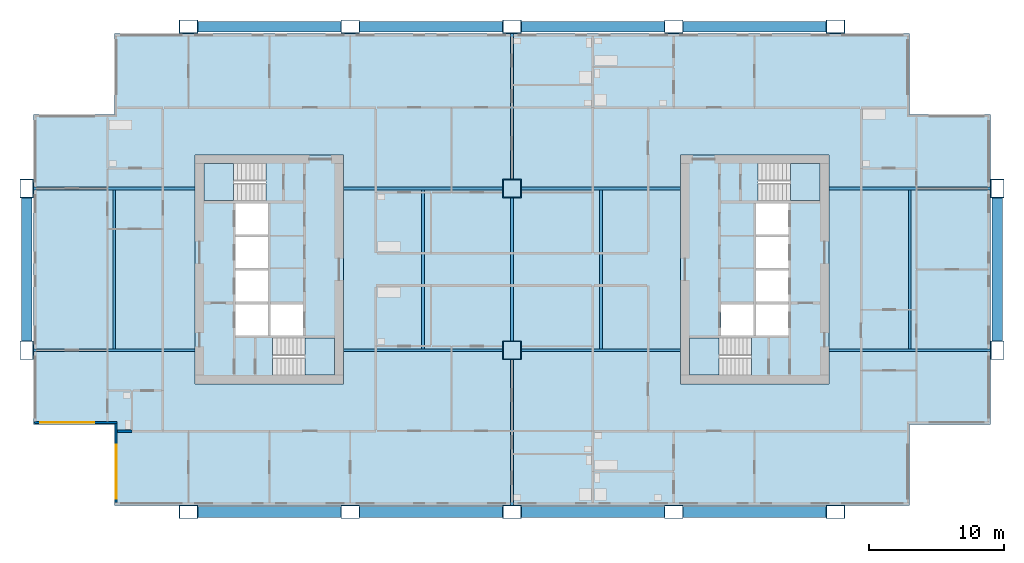
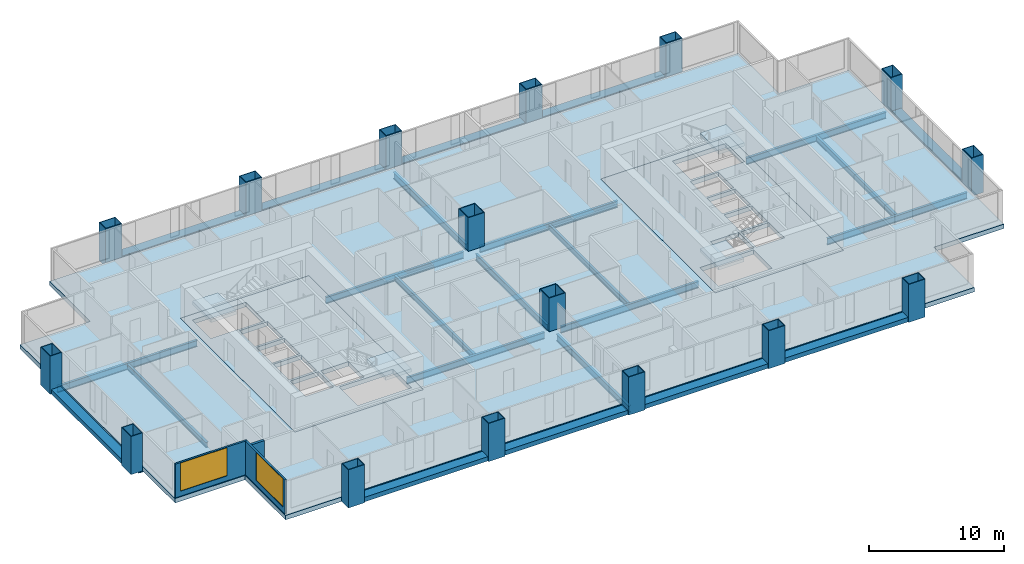
# One storey, part 1 of 11: 25 beams, 16 columns, 7 slabs, 3 walls, 2 windows, 2 openings, 4 elements without a shape of their own.
"""IFC4 building model written with IfcOpenShell, lengths in metres."""

from ifc_helpers import new_model, si_unit, direction, frame, frame_2d, origin, origin_2d, place, context, subcontext, project, spatial, polyline, rectangle, hollow_rectangle, i_section, outline, extrude, material, layer, layer_set, material_profile, profile_set, type_object, element, fill, aggregate, save


model = new_model("IFC4")

# Units and contexts
model_context = context("Model", 3, precision=1e-05, world=origin(), true_north=direction((0.0, 1.0)))
body_context = subcontext(model_context, "Body", "Model", "MODEL_VIEW")
ifc_project = project(units=[si_unit("LENGTHUNIT", "METRE"), si_unit("AREAUNIT", "SQUARE_METRE"), si_unit("VOLUMEUNIT", "CUBIC_METRE"), si_unit("PLANEANGLEUNIT", "RADIAN"), si_unit("MASSUNIT", "GRAM", prefix="KILO")], contexts=[model_context])

# Site, building, storey
site_placement = place(None, origin())
site = spatial("IfcSite", under=ifc_project, at=site_placement, CompositionType="ELEMENT")
building_placement = place(site_placement, origin())
building = spatial("IfcBuilding", under=site, at=building_placement, Name="Kitamizu Gate Tower and Museum", CompositionType="ELEMENT")
storey_placement = place(building_placement, frame((0.0, 0.0, 124.199951171875)))
storey = spatial("IfcBuildingStorey", under=building, at=storey_placement, Name="L32", CompositionType="ELEMENT", Elevation=124.199951171875)

# Columns
ifc_material_1 = material(Name="Steel SM490A bronze coated", Category="steel")
ifc_material_profile_1 = material_profile(ifc_material_1, hollow_rectangle(XDim=1.39990234375, YDim=1.0, WallThickness=0.054931640625, at=origin_2d()), Name="BOX 1400x1000x55")
ifc_profile_set_1 = profile_set([ifc_material_profile_1], Name="Steel SM490A bronze coated")
column_type_1 = type_object("IfcColumnType", Name="Exoskeleton column XC5 BOX 1400x1000x55", PredefinedType="COLUMN", material=ifc_profile_set_1)
for number, where, z_axis, x_axis, name in (
    (1, (0.0, 24.0, -0.39990234375), (0.0, 0.0, 1.0), (0.0, 1.0, 0.0), "Column XC5 1C L32"),
    (2, (0.0, 36.0, -0.39990234375), (0.0, 0.0, 1.0), (0.0, 1.0, 0.0), "Column XC5 1D L32"),
    (3, (12.0, 12.0, -0.39990234375), (0.0, 0.0, 1.0), (1.0, 0.0, 0.0), "Column XC5 2B L32"),
    (4, (12.0, 48.0, -0.39990234375), (0.0, 0.0, 1.0), (1.0, 0.0, 0.0), "Column XC5 2E L32"),
    (5, (24.0, 12.0, -0.39990234375), (0.0, 0.0, 1.0), (1.0, 0.0, 0.0), "Column XC5 3B L32"),
    (6, (24.0, 48.0, -0.39990234375), (0.0, 0.0, 1.0), (1.0, 0.0, 0.0), "Column XC5 3E L32"),
    (7, (36.0, 12.0, -0.39990234375), (0.0, 0.0, 1.0), (1.0, 0.0, 0.0), "Column XC5 4B L32"),
    (8, (36.0, 48.0, -0.39990234375), (0.0, 0.0, 1.0), (1.0, 0.0, 0.0), "Column XC5 4E L32"),
    (9, (48.0, 12.0, -0.39990234375), (0.0, 0.0, 1.0), (1.0, 0.0, 0.0), "Column XC5 5B L32"),
    (10, (48.0, 48.0, -0.39990234375), (0.0, 0.0, 1.0), (1.0, 0.0, 0.0), "Column XC5 5E L32"),
    (11, (60.0, 12.0, -0.39990234375), (0.0, 0.0, 1.0), (1.0, 0.0, 0.0), "Column XC5 6B L32"),
    (12, (60.0, 48.0, -0.39990234375), (0.0, 0.0, 1.0), (1.0, 0.0, 0.0), "Column XC5 6E L32"),
    (13, (72.0, 24.0, -0.39990234375), (0.0, 0.0, 1.0), (0.0, 1.0, 0.0), "Column XC5 7C L32"),
    (14, (72.0, 36.0, -0.39990234375), (0.0, 0.0, 1.0), (0.0, 1.0, 0.0), "Column XC5 7D L32"),
):
    element("IfcColumn", number, at=place(storey_placement, frame(where, z_axis=z_axis, x_axis=x_axis)), inside=storey, type_object=column_type_1, Name=name, PredefinedType="COLUMN", context=body_context, shape_type="SweptSolid", body=[
        extrude(hollow_rectangle(XDim=1.39990234375, YDim=1.0, WallThickness=0.054931640625, at=origin_2d()), origin(), (0.0, 0.0, 1.0), 3.449951171875),
    ])
ifc_material_2 = material(Name="Steel SM490A", Category="steel")
ifc_material_profile_2 = material_profile(ifc_material_2, hollow_rectangle(XDim=1.39990234375, YDim=1.39990234375, WallThickness=0.06005859375, at=origin_2d()), Name="BOX 1400x1400x60")
ifc_profile_set_2 = profile_set([ifc_material_profile_2], Name="Steel SM490A")
column_type_2 = type_object("IfcColumnType", Name="Interior column IC3 BOX 1400x1400x60", PredefinedType="COLUMN", material=ifc_profile_set_2)
for number, where, z_axis, x_axis, name in (
    (15, (36.0, 24.0, 0.0), (0.0, 0.0, 1.0), (1.0, 0.0, 0.0), "Column IC3 4C L32"),
    (16, (36.0, 36.0, 0.0), (0.0, 0.0, 1.0), (1.0, 0.0, 0.0), "Column IC3 4D L32"),
):
    element("IfcColumn", number, at=place(storey_placement, frame(where, z_axis=z_axis, x_axis=x_axis)), inside=storey, type_object=column_type_2, Name=name, PredefinedType="COLUMN", context=body_context, shape_type="SweptSolid", body=[
        extrude(hollow_rectangle(XDim=1.39990234375, YDim=1.39990234375, WallThickness=0.06005859375, at=origin_2d()), origin(), (0.0, 0.0, 1.0), 3.050048828125),
    ])

# Beams
ifc_material_3 = material(Name="Steel SM490A bronze coated", Category="steel")
ifc_material_profile_3 = material_profile(ifc_material_3, hollow_rectangle(XDim=0.800048828125, YDim=0.39990234375, WallThickness=0.0400390625, at=origin_2d()), Name="BOX 800x400x40")
ifc_profile_set_3 = profile_set([ifc_material_profile_3], Name="Steel SM490A bronze coated")
beam_type_1 = type_object("IfcBeamType", Name="Exoskeleton spandrel beam SB1 BOX 800x400x40", PredefinedType="SPANDREL", material=ifc_profile_set_3)
for number, where, z_axis, x_axis, name in (
    (17, (12.699951171875, 12.0, -0.199951171875), (1.0, 0.0, 0.0), (0.0, 1.0, 0.0), "Exoskeleton spandrel beam south 12 L32"),
    (18, (24.699951171875, 12.0, -0.199951171875), (1.0, 0.0, 0.0), (0.0, 1.0, 0.0), "Exoskeleton spandrel beam south 24 L32"),
    (19, (36.699951171875, 12.0, -0.199951171875), (1.0, 0.0, 0.0), (0.0, 1.0, 0.0), "Exoskeleton spandrel beam south 36 L32"),
    (20, (48.699951171875, 12.0, -0.199951171875), (1.0, 0.0, 0.0), (0.0, 1.0, 0.0), "Exoskeleton spandrel beam south 48 L32"),
    (21, (12.699951171875, 48.0, -0.199951171875), (1.0, 0.0, 0.0), (0.0, 1.0, 0.0), "Exoskeleton spandrel beam north 12 L32"),
    (22, (24.699951171875, 48.0, -0.199951171875), (1.0, 0.0, 0.0), (0.0, 1.0, 0.0), "Exoskeleton spandrel beam north 24 L32"),
    (23, (36.699951171875, 48.0, -0.199951171875), (1.0, 0.0, 0.0), (0.0, 1.0, 0.0), "Exoskeleton spandrel beam north 36 L32"),
    (24, (48.699951171875, 48.0, -0.199951171875), (1.0, 0.0, 0.0), (0.0, 1.0, 0.0), "Exoskeleton spandrel beam north 48 L32"),
    (25, (0.0, 24.699951171875, -0.199951171875), (0.0, 1.0, 0.0), (-1.0, 0.0, 0.0), "Exoskeleton spandrel beam west 24 L32"),
    (26, (72.0, 24.699951171875, -0.199951171875), (0.0, 1.0, 0.0), (-1.0, 0.0, 0.0), "Exoskeleton spandrel beam east 24 L32"),
):
    element("IfcBeam", number, at=place(storey_placement, frame(where, z_axis=z_axis, x_axis=x_axis)), inside=storey, type_object=beam_type_1, Name=name, PredefinedType="SPANDREL", context=body_context, shape_type="SweptSolid", body=[
        extrude(hollow_rectangle(XDim=0.800048828125, YDim=0.39990234375, WallThickness=0.0400390625, at=origin_2d()), origin(), (0.0, 0.0, 1.0), 10.60009765625),
    ])
ifc_material_4 = material(Name="Steel SM490A", Category="steel")
ifc_material_profile_4 = material_profile(ifc_material_4, i_section(OverallWidth=0.199951171875, OverallDepth=0.5, WebThickness=0.010009765625, FlangeThickness=0.01611328125, FilletRadius=0.02001953125, at=origin_2d()), Name="H-500x200x10x16")
ifc_profile_set_4 = profile_set([ifc_material_profile_4], Name="Steel SM490A")
beam_type_2 = type_object("IfcBeamType", Name="Floor beam FB1 H 500x200x10x16", PredefinedType="BEAM", material=ifc_profile_set_4)
for number, where, z_axis, x_axis, name in (
    (27, (6.5, 24.10009765625, -0.64990234375), (0.0, 1.0, 0.0), (-1.0, 0.0, 0.0), "Floor beam FB1 L32-1"),
    (28, (29.39990234375, 24.10009765625, -0.64990234375), (0.0, 1.0, 0.0), (-1.0, 0.0, 0.0), "Floor beam FB1 L32-2"),
    (29, (42.60009765625, 24.10009765625, -0.64990234375), (0.0, 1.0, 0.0), (-1.0, 0.0, 0.0), "Floor beam FB1 L32-3"),
    (30, (65.5, 24.10009765625, -0.64990234375), (0.0, 1.0, 0.0), (-1.0, 0.0, 0.0), "Floor beam FB1 L32-4"),
):
    element("IfcBeam", number, at=place(storey_placement, frame(where, z_axis=z_axis, x_axis=x_axis)), inside=storey, type_object=beam_type_2, Name=name, PredefinedType="BEAM", context=body_context, shape_type="SweptSolid", body=[
        extrude(i_section(OverallWidth=0.199951171875, OverallDepth=0.5, WebThickness=0.010009765625, FlangeThickness=0.01611328125, FilletRadius=0.02001953125, at=origin_2d()), origin(), (0.0, 0.0, 1.0), 11.7998046875),
    ])
ifc_material_5 = material(Name="Steel SM490A", Category="steel")
ifc_material_profile_5 = material_profile(ifc_material_5, i_section(OverallWidth=0.199951171875, OverallDepth=0.60009765625, WebThickness=0.010986328125, FlangeThickness=0.01708984375, FilletRadius=0.02197265625, at=origin_2d()), Name="H-600x200x11x17")
ifc_profile_set_5 = profile_set([ifc_material_profile_5], Name="Steel SM490A")
beam_type_3 = type_object("IfcBeamType", Name="Floor girder FG1 H 600x200x11x17", PredefinedType="BEAM", material=ifc_profile_set_5)
beam_1_placement = place(storey_placement, frame((36.0, 12.5, -0.699951171875), z_axis=(0.0, 1.0, 0.0), x_axis=(-1.0, 0.0, 0.0)))
element("IfcBeam", 31, at=beam_1_placement, inside=storey, type_object=beam_type_3, Name="Floor girder FG1 x36 L32", PredefinedType="BEAM", context=body_context, shape_type="SweptSolid", body=[
    extrude(i_section(OverallWidth=0.199951171875, OverallDepth=0.60009765625, WebThickness=0.010986328125, FlangeThickness=0.01708984375, FilletRadius=0.02197265625, at=origin_2d()), origin(), (0.0, 0.0, 1.0), 10.800048828125),
])
beam_2_placement = place(storey_placement, frame((36.0, 24.699951171875, -0.699951171875), z_axis=(0.0, 1.0, 0.0), x_axis=(-1.0, 0.0, 0.0)))
element("IfcBeam", 32, at=beam_2_placement, inside=storey, type_object=beam_type_3, Name="Floor girder FG1 x36 L32", PredefinedType="BEAM", context=body_context, shape_type="SweptSolid", body=[
    extrude(i_section(OverallWidth=0.199951171875, OverallDepth=0.60009765625, WebThickness=0.010986328125, FlangeThickness=0.01708984375, FilletRadius=0.02197265625, at=origin_2d()), origin(), (0.0, 0.0, 1.0), 10.60009765625),
])
beam_3_placement = place(storey_placement, frame((36.0, 36.699951171875, -0.699951171875), z_axis=(0.0, 1.0, 0.0), x_axis=(-1.0, 0.0, 0.0)))
element("IfcBeam", 33, at=beam_3_placement, inside=storey, type_object=beam_type_3, Name="Floor girder FG1 x36 L32", PredefinedType="BEAM", context=body_context, shape_type="SweptSolid", body=[
    extrude(i_section(OverallWidth=0.199951171875, OverallDepth=0.60009765625, WebThickness=0.010986328125, FlangeThickness=0.01708984375, FilletRadius=0.02197265625, at=origin_2d()), origin(), (0.0, 0.0, 1.0), 10.800048828125),
])
beam_4_placement = place(storey_placement, frame((0.5, 24.0, -0.699951171875), z_axis=(1.0, 0.0, 0.0), x_axis=(0.0, 1.0, 0.0)))
element("IfcBeam", 34, at=beam_4_placement, inside=storey, type_object=beam_type_3, Name="Floor girder FG1 y24 L32", PredefinedType="BEAM", context=body_context, shape_type="SweptSolid", body=[
    extrude(i_section(OverallWidth=0.199951171875, OverallDepth=0.60009765625, WebThickness=0.010986328125, FlangeThickness=0.01708984375, FilletRadius=0.02197265625, at=origin_2d()), origin(), (0.0, 0.0, 1.0), 12.0),
])
for number, where, z_axis, x_axis, name in (
    (35, (23.5, 24.0, -0.699951171875), (1.0, 0.0, 0.0), (0.0, 1.0, 0.0), "Floor girder FG1 y24 L32"),
    (36, (36.699951171875, 24.0, -0.699951171875), (1.0, 0.0, 0.0), (0.0, 1.0, 0.0), "Floor girder FG1 y24 L32"),
):
    element("IfcBeam", number, at=place(storey_placement, frame(where, z_axis=z_axis, x_axis=x_axis)), inside=storey, type_object=beam_type_3, Name=name, PredefinedType="BEAM", context=body_context, shape_type="SweptSolid", body=[
        extrude(i_section(OverallWidth=0.199951171875, OverallDepth=0.60009765625, WebThickness=0.010986328125, FlangeThickness=0.01708984375, FilletRadius=0.02197265625, at=origin_2d()), origin(), (0.0, 0.0, 1.0), 11.800048828125),
    ])
for number, where, z_axis, x_axis, name in (
    (37, (59.5, 24.0, -0.699951171875), (1.0, 0.0, 0.0), (0.0, 1.0, 0.0), "Floor girder FG1 y24 L32"),
    (38, (0.5, 36.0, -0.699951171875), (1.0, 0.0, 0.0), (0.0, 1.0, 0.0), "Floor girder FG1 y36 L32"),
):
    element("IfcBeam", number, at=place(storey_placement, frame(where, z_axis=z_axis, x_axis=x_axis)), inside=storey, type_object=beam_type_3, Name=name, PredefinedType="BEAM", context=body_context, shape_type="SweptSolid", body=[
        extrude(i_section(OverallWidth=0.199951171875, OverallDepth=0.60009765625, WebThickness=0.010986328125, FlangeThickness=0.01708984375, FilletRadius=0.02197265625, at=origin_2d()), origin(), (0.0, 0.0, 1.0), 12.0),
    ])
for number, where, z_axis, x_axis, name in (
    (39, (23.5, 36.0, -0.699951171875), (1.0, 0.0, 0.0), (0.0, 1.0, 0.0), "Floor girder FG1 y36 L32"),
    (40, (36.699951171875, 36.0, -0.699951171875), (1.0, 0.0, 0.0), (0.0, 1.0, 0.0), "Floor girder FG1 y36 L32"),
):
    element("IfcBeam", number, at=place(storey_placement, frame(where, z_axis=z_axis, x_axis=x_axis)), inside=storey, type_object=beam_type_3, Name=name, PredefinedType="BEAM", context=body_context, shape_type="SweptSolid", body=[
        extrude(i_section(OverallWidth=0.199951171875, OverallDepth=0.60009765625, WebThickness=0.010986328125, FlangeThickness=0.01708984375, FilletRadius=0.02197265625, at=origin_2d()), origin(), (0.0, 0.0, 1.0), 11.800048828125),
    ])
beam_5_placement = place(storey_placement, frame((59.5, 36.0, -0.699951171875), z_axis=(1.0, 0.0, 0.0), x_axis=(0.0, 1.0, 0.0)))
element("IfcBeam", 41, at=beam_5_placement, inside=storey, type_object=beam_type_3, Name="Floor girder FG1 y36 L32", PredefinedType="BEAM", context=body_context, shape_type="SweptSolid", body=[
    extrude(i_section(OverallWidth=0.199951171875, OverallDepth=0.60009765625, WebThickness=0.010986328125, FlangeThickness=0.01708984375, FilletRadius=0.02197265625, at=origin_2d()), origin(), (0.0, 0.0, 1.0), 12.0),
])

# Slabs
ifc_material_6 = material(Name="Concrete Fc36", Category="concrete")
ifc_layer_1 = layer(ifc_material_6, 0.39990234375)
ifc_layer_set_1 = layer_set([ifc_layer_1], Name="Concrete Fc36")
slab_type_1 = type_object("IfcSlabType", Name="Core floor slab 400", PredefinedType="FLOOR", material=ifc_layer_set_1)
slab_1_placement = place(storey_placement, frame((0.0, 0.0, -0.39990234375)))
element("IfcSlab", 42, at=slab_1_placement, inside=storey, type_object=slab_type_1, Name="Core floor slab W", PredefinedType="FLOOR", context=body_context, shape_type="SweptSolid", body=[
    extrude(outline(polyline([(12.5, 21.5), (23.5, 21.5), (23.5, 38.5), (12.5, 38.5), (12.5, 21.5)]), holes=[polyline([(15.5, 25.10009765625), (17.89990234375, 25.10009765625), (17.89990234375, 27.39990234375), (15.5, 27.39990234375), (15.5, 25.10009765625)]), polyline([(15.5, 27.60009765625), (17.89990234375, 27.60009765625), (17.89990234375, 29.89990234375), (15.5, 29.89990234375), (15.5, 27.60009765625)]), polyline([(15.5, 30.10009765625), (17.89990234375, 30.10009765625), (17.89990234375, 32.39990234375), (15.5, 32.39990234375), (15.5, 30.10009765625)]), polyline([(15.5, 32.60009765625), (17.89990234375, 32.60009765625), (17.89990234375, 34.89990234375), (15.5, 34.89990234375), (15.5, 32.60009765625)]), polyline([(18.10009765625, 25.10009765625), (20.5, 25.10009765625), (20.5, 27.39990234375), (18.10009765625, 27.39990234375), (18.10009765625, 25.10009765625)]), polyline([(18.25048828125, 22.14990234375), (22.85009765625, 22.14990234375), (22.85009765625, 24.89990234375), (18.25048828125, 24.89990234375), (18.25048828125, 22.14990234375)]), polyline([(13.14990234375, 35.10009765625), (17.74951171875, 35.10009765625), (17.74951171875, 37.85009765625), (13.14990234375, 37.85009765625), (13.14990234375, 35.10009765625)])]), origin(), (0.0, 0.0, 1.0), 0.39990234375),
])
slab_2_placement = place(storey_placement, frame((0.0, 0.0, -0.39990234375)))
element("IfcSlab", 43, at=slab_2_placement, inside=storey, type_object=slab_type_1, Name="Core floor slab E", PredefinedType="FLOOR", context=body_context, shape_type="SweptSolid", body=[
    extrude(outline(polyline([(48.5, 21.5), (59.5, 21.5), (59.5, 38.5), (48.5, 38.5), (48.5, 21.5)]), holes=[polyline([(54.10009765625, 25.10009765625), (56.5, 25.10009765625), (56.5, 27.39990234375), (54.10009765625, 27.39990234375), (54.10009765625, 25.10009765625)]), polyline([(54.10009765625, 27.60009765625), (56.5, 27.60009765625), (56.5, 29.89990234375), (54.10009765625, 29.89990234375), (54.10009765625, 27.60009765625)]), polyline([(54.10009765625, 30.10009765625), (56.5, 30.10009765625), (56.5, 32.39990234375), (54.10009765625, 32.39990234375), (54.10009765625, 30.10009765625)]), polyline([(54.10009765625, 32.60009765625), (56.5, 32.60009765625), (56.5, 34.89990234375), (54.10009765625, 34.89990234375), (54.10009765625, 32.60009765625)]), polyline([(51.5, 25.10009765625), (53.89990234375, 25.10009765625), (53.89990234375, 27.39990234375), (51.5, 27.39990234375), (51.5, 25.10009765625)]), polyline([(49.14990234375, 22.14990234375), (53.74951171875, 22.14990234375), (53.74951171875, 24.89990234375), (49.14990234375, 24.89990234375), (49.14990234375, 22.14990234375)]), polyline([(54.25048828125, 35.10009765625), (58.85009765625, 35.10009765625), (58.85009765625, 37.85009765625), (54.25048828125, 37.85009765625), (54.25048828125, 35.10009765625)])]), origin(), (0.0, 0.0, 1.0), 0.39990234375),
])
ifc_material_7 = material(Name="Concrete Fc36", Category="concrete")
ifc_layer_2 = layer(ifc_material_7, 0.39990234375)
ifc_layer_set_2 = layer_set([ifc_layer_2], Name="Concrete Fc36")
slab_type_2 = type_object("IfcSlabType", Name="Post tensioned flat slab 400", PredefinedType="FLOOR", material=ifc_layer_set_2)
slab_3_placement = place(storey_placement, frame((0.0, 0.0, -0.39990234375)))
element("IfcSlab", 44, at=slab_3_placement, inside=storey, type_object=slab_type_2, Name="Floor slab L32-1", PredefinedType="FLOOR", context=body_context, shape_type="SweptSolid", body=[
    extrude(outline(polyline([(0.5, 18.5), (0.5, 41.5), (6.5, 41.5), (6.5, 47.5), (65.5, 47.5), (65.5, 41.5), (71.5, 41.5), (71.5, 18.5), (65.5, 18.5), (65.5, 12.5), (6.5, 12.5), (6.5, 18.5), (0.5, 18.5)]), holes=[polyline([(59.5, 38.5), (48.5, 38.5), (48.5, 21.5), (59.5, 21.5), (59.5, 38.5)]), polyline([(12.5, 38.5), (12.5, 21.5), (23.5, 21.5), (23.5, 38.5), (12.5, 38.5)])]), origin(), (0.0, 0.0, 1.0), 0.39990234375),
])

# Stair, slab
ifc_material_8 = material(Name="Concrete Fc42", Category="concrete")
stair_type = type_object("IfcStairType", Name="Exit stair 1275 wide 192 rise 300 going", PredefinedType="HALF_TURN_STAIR", material=ifc_material_8)
stair_1_placement = place(storey_placement, origin())
stair_1 = element("IfcStair", 45, at=stair_1_placement, inside=storey, type_object=stair_type, Name="Exit stair ST1", PredefinedType="HALF_TURN_STAIR")
ifc_material_9 = material(Name="Concrete Fc42", Category="concrete")
ifc_layer_3 = layer(ifc_material_9, 0.300048828125)
ifc_layer_set_3 = layer_set([ifc_layer_3], Name="Concrete Fc42")
slab_type_3 = type_object("IfcSlabType", Name="Stair landing 300", PredefinedType="LANDING", material=ifc_layer_set_3)
slab_4_placement = place(storey_placement, frame((0.0, 0.0, 1.425048828125)))
slab_4 = element("IfcSlab", 46, at=slab_4_placement, type_object=slab_type_3, Name="ST1 landing 1", PredefinedType="LANDING", context=body_context, shape_type="SweptSolid", body=[
    extrude(outline(polyline([(20.64990234375, 22.14990234375), (22.85009765625, 22.14990234375), (22.85009765625, 24.89990234375), (20.64990234375, 24.89990234375), (20.64990234375, 22.14990234375)])), origin(), (0.0, 0.0, 1.0), 0.300048828125),
])
aggregate(stair_1, [slab_4])

stair_2_placement = place(storey_placement, origin())
stair_2 = element("IfcStair", 47, at=stair_2_placement, inside=storey, type_object=stair_type, Name="Exit stair ST2", PredefinedType="HALF_TURN_STAIR")
slab_5_placement = place(storey_placement, frame((0.0, 0.0, 1.425048828125)))
slab_5 = element("IfcSlab", 48, at=slab_5_placement, type_object=slab_type_3, Name="ST2 landing 1", PredefinedType="LANDING", context=body_context, shape_type="SweptSolid", body=[
    extrude(outline(polyline([(13.14990234375, 35.10009765625), (15.35009765625, 35.10009765625), (15.35009765625, 37.85009765625), (13.14990234375, 37.85009765625), (13.14990234375, 35.10009765625)])), origin(), (0.0, 0.0, 1.0), 0.300048828125),
])
aggregate(stair_2, [slab_5])

stair_3_placement = place(storey_placement, origin())
stair_3 = element("IfcStair", 49, at=stair_3_placement, inside=storey, type_object=stair_type, Name="Exit stair ST3", PredefinedType="HALF_TURN_STAIR")
slab_6_placement = place(storey_placement, frame((0.0, 0.0, 1.425048828125)))
slab_6 = element("IfcSlab", 50, at=slab_6_placement, type_object=slab_type_3, Name="ST3 landing 1", PredefinedType="LANDING", context=body_context, shape_type="SweptSolid", body=[
    extrude(outline(polyline([(49.14990234375, 22.14990234375), (51.35009765625, 22.14990234375), (51.35009765625, 24.89990234375), (49.14990234375, 24.89990234375), (49.14990234375, 22.14990234375)])), origin(), (0.0, 0.0, 1.0), 0.300048828125),
])
aggregate(stair_3, [slab_6])

stair_4_placement = place(storey_placement, origin())
stair_4 = element("IfcStair", 51, at=stair_4_placement, inside=storey, type_object=stair_type, Name="Exit stair ST4", PredefinedType="HALF_TURN_STAIR")
slab_7_placement = place(storey_placement, frame((0.0, 0.0, 1.425048828125)))
slab_7 = element("IfcSlab", 52, at=slab_7_placement, type_object=slab_type_3, Name="ST4 landing 1", PredefinedType="LANDING", context=body_context, shape_type="SweptSolid", body=[
    extrude(outline(polyline([(56.64990234375, 35.10009765625), (58.85009765625, 35.10009765625), (58.85009765625, 37.85009765625), (56.64990234375, 37.85009765625), (56.64990234375, 35.10009765625)])), origin(), (0.0, 0.0, 1.0), 0.300048828125),
])
aggregate(stair_4, [slab_7])

# Wall
ifc_material_10 = material(Name="Gypsum board on galvanised stud")
ifc_layer_4 = layer(ifc_material_10, 0.199951171875)
ifc_layer_set_4 = layer_set([ifc_layer_4], Name="Gypsum board on galvanised stud")
wall_type_1 = type_object("IfcWallType", Name="Partition 200", PredefinedType="PARTITIONING", material=ifc_layer_set_4)
wall_1_placement = place(storey_placement, frame((7.800048828125, 18.0, 0.0), z_axis=(0.0, 0.0, 1.0), x_axis=(-1.0, 0.0, 0.0)))
element("IfcWall", 53, at=wall_1_placement, inside=storey, type_object=wall_type_1, Name="Partition L32-002", PredefinedType="PARTITIONING", context=body_context, shape_type="SweptSolid", body=[
    extrude(rectangle(XDim=1.080078125, YDim=0.199951171875, at=frame_2d((0.5400390625, 0.0))), origin(), (0.0, 0.0, 1.0), 3.050048828125),
])

# Wall, opening, window
ifc_material_11 = material(Name="Bronze anodised aluminium frame with insulated spandrel and tinted glass", Category="aluminium")
ifc_layer_5 = layer(ifc_material_11, 0.14990234375)
ifc_layer_set_5 = layer_set([ifc_layer_5], Name="Bronze anodised aluminium frame with insulated spandrel and tinted glass")
wall_type_2 = type_object("IfcWallType", Name="WINDOW WALL 150 BRONZE FRAME EI 30", PredefinedType="ELEMENTEDWALL", material=ifc_layer_set_5)
wall_2_placement = place(storey_placement, frame((0.56005859375, 18.635009765625, 0.0), z_axis=(0.0, 0.0, 1.0), x_axis=(1.0, 0.0, 0.0)))
wall_2 = element("IfcWall", 54, at=wall_2_placement, inside=storey, type_object=wall_type_2, Name="Window wall south L32", PredefinedType="ELEMENTEDWALL", context=body_context, shape_type="SweptSolid", body=[
    extrude(rectangle(XDim=6.14990234375, YDim=0.14990234375, at=frame_2d((3.074951171875, 0.0))), origin(), (0.0, 0.0, 1.0), 3.050048828125),
])
opening_1_placement = place(wall_2_placement, frame((0.43994140625, 0.0, 0.449951171875)))
opening_1 = element("IfcOpeningElement", 55, at=opening_1_placement, cuts=wall_2, Name="Opening W16", PredefinedType="OPENING", context=body_context, shape_type="SweptSolid", body=[
    extrude(rectangle(XDim=4.0, YDim=2.550048828125, at=frame_2d((2.0, 1.27490234375))), frame((0.0, 0.0849609375, 0.0), z_axis=(0.0, -1.0, 0.0), x_axis=(1.0, 0.0, 0.0)), (0.0, 0.0, 1.0), 0.169921875),
])
ifc_material_12 = material(Name="Bronze anodised aluminium frame, tinted triple glazing", Category="aluminium")
window_type = type_object("IfcWindowType", Name="WINDOW 4000 x 2550 SILL 450", PartitioningType="SINGLE_PANEL", PredefinedType="WINDOW", material=ifc_material_12)
window_1_placement = place(opening_1_placement, origin())
window_1 = element("IfcWindow", 56, at=window_1_placement, inside=storey, type_object=window_type, Name="Window W16 L32", OverallHeight=2.550048828125, OverallWidth=4.0, PartitioningType="SINGLE_PANEL", PredefinedType="WINDOW", context=body_context, shape_type="SweptSolid", body=[
    extrude(rectangle(XDim=4.0, YDim=2.550048828125, at=frame_2d((2.0, 1.27490234375))), frame((0.0, 0.030029296875, 0.0), z_axis=(0.0, -1.0, 0.0), x_axis=(1.0, 0.0, 0.0)), (0.0, 0.0, 1.0), 0.06005859375),
])
fill(opening_1, window_1)

wall_3_placement = place(storey_placement, frame((6.635009765625, 12.7099609375, 0.0), z_axis=(0.0, 0.0, 1.0), x_axis=(0.0, 1.0, 0.0)))
wall_3 = element("IfcWall", 57, at=wall_3_placement, inside=storey, type_object=wall_type_2, Name="Window wall west L32", PredefinedType="ELEMENTEDWALL", context=body_context, shape_type="SweptSolid", body=[
    extrude(rectangle(XDim=5.85009765625, YDim=0.14990234375, at=frame_2d((2.925048828125, 0.0))), origin(), (0.0, 0.0, 1.0), 3.050048828125),
])
opening_2_placement = place(wall_3_placement, frame((0.2900390625, 0.0, 0.449951171875)))
opening_2 = element("IfcOpeningElement", 58, at=opening_2_placement, cuts=wall_3, Name="Opening W16", PredefinedType="OPENING", context=body_context, shape_type="SweptSolid", body=[
    extrude(rectangle(XDim=4.0, YDim=2.550048828125, at=frame_2d((2.0, 1.27490234375))), frame((0.0, 0.0849609375, 0.0), z_axis=(0.0, -1.0, 0.0), x_axis=(1.0, 0.0, 0.0)), (0.0, 0.0, 1.0), 0.169921875),
])
window_2_placement = place(opening_2_placement, origin())
window_2 = element("IfcWindow", 59, at=window_2_placement, inside=storey, type_object=window_type, Name="Window W16 L32", OverallHeight=2.550048828125, OverallWidth=4.0, PartitioningType="SINGLE_PANEL", PredefinedType="WINDOW", context=body_context, shape_type="SweptSolid", body=[
    extrude(rectangle(XDim=4.0, YDim=2.550048828125, at=frame_2d((2.0, 1.27490234375))), frame((0.0, 0.030029296875, 0.0), z_axis=(0.0, -1.0, 0.0), x_axis=(1.0, 0.0, 0.0)), (0.0, 0.0, 1.0), 0.06005859375),
])
fill(opening_2, window_2)

save(model, "model.ifc")
